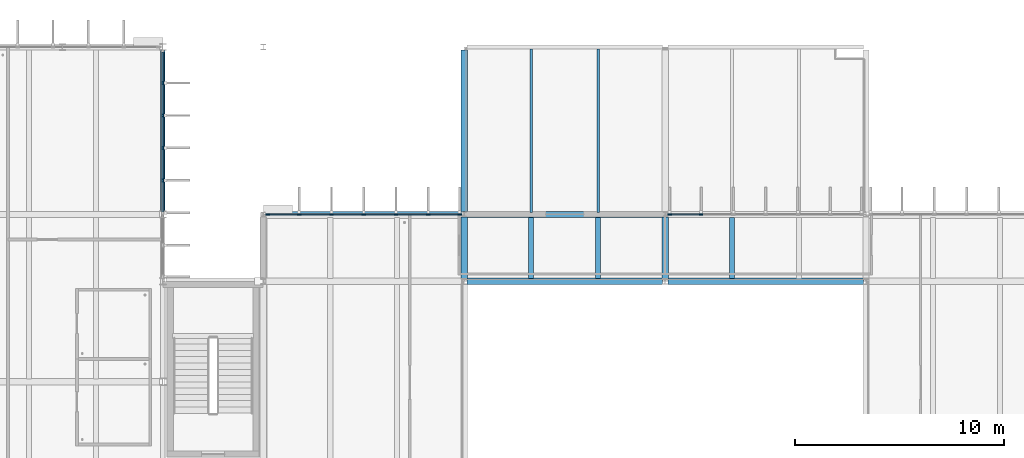
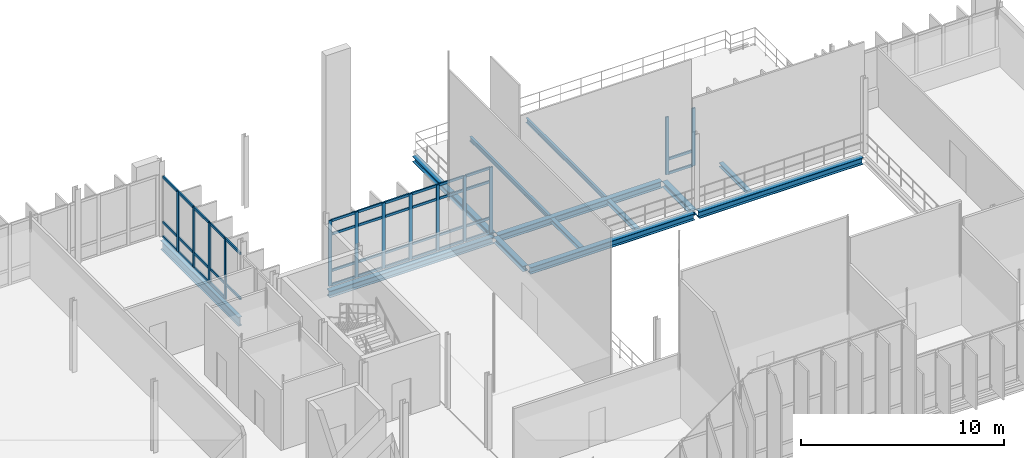
# One storey, part 12 of 41: 53 members, 13 beams, 3 elements without a shape of their own.
"""IFC4 building model written with IfcOpenShell, lengths in metres."""

from ifc_helpers import new_model, si_unit, direction, frame, origin, origin_2d, place, context, subcontext, project, spatial, rectangle, i_section, extrude, material, material_profile, profile_set, type_object, element, aggregate, save


model = new_model("IFC4")

# Units and contexts
model_context = context("Model", 3, precision=1e-05, world=origin(), true_north=direction((0.0, 1.0)))
body_context = subcontext(model_context, "Body", "Model", "MODEL_VIEW")
ifc_project = project(units=[si_unit("LENGTHUNIT", "METRE"), si_unit("AREAUNIT", "SQUARE_METRE"), si_unit("VOLUMEUNIT", "CUBIC_METRE"), si_unit("PLANEANGLEUNIT", "RADIAN"), si_unit("MASSUNIT", "GRAM", prefix="KILO")], contexts=[model_context])

# Site, building, storey
site_placement = place(None, origin())
site = spatial("IfcSite", under=ifc_project, at=site_placement, CompositionType="ELEMENT")
building_placement = place(site_placement, origin())
building = spatial("IfcBuilding", under=site, at=building_placement, Name="Dunescarp Central Library", CompositionType="ELEMENT")
storey_placement = place(building_placement, frame((0.0, 0.0, 23.10009765625)))
storey = spatial("IfcBuildingStorey", under=building, at=storey_placement, Name="L05", CompositionType="ELEMENT", Elevation=23.10009765625)

# Curtain wall, members
ifc_material_1 = material(Name="Marine-grade anodised aluminium 6063-T6", Category="aluminium")
curtain_wall_type = type_object("IfcCurtainWallType", Name="ARC-CW-STICK", PredefinedType="NOTDEFINED", material=ifc_material_1)
curtain_wall_1_placement = place(storey_placement, origin())
curtain_wall_1 = element("IfcCurtainWall", 1, at=curtain_wall_1_placement, inside=storey, type_object=curtain_wall_type, Name="L05 curtain wall CW-V1-037", PredefinedType="NOTDEFINED")
ifc_material_profile_1 = material_profile(ifc_material_1, rectangle(XDim=0.080078125, YDim=0.179931640625, at=origin_2d()), Name="AL 80x180")
ifc_profile_set_1 = profile_set([ifc_material_profile_1], Name="Marine-grade anodised aluminium 6063-T6")
member_type_1 = type_object("IfcMemberType", Name="ARC-CWM-180", PredefinedType="MULLION", material=ifc_profile_set_1)
member_1_placement = place(storey_placement, frame((33.60009765625, 35.074951171875, 0.0), z_axis=(0.0, 0.0, 1.0), x_axis=(1.0, 0.0, 0.0)))
member_1 = element("IfcMember", 2, at=member_1_placement, type_object=member_type_1, Name="CW-V1-037 mullion 2", PredefinedType="MULLION", context=body_context, shape_type="SweptSolid", body=[
    extrude(rectangle(XDim=0.080078125, YDim=0.179931640625, at=origin_2d()), origin(), (0.0, 0.0, 1.0), 3.65283203125),
])
member_2_placement = place(storey_placement, frame((33.60009765625, 33.52490234375, 0.0), z_axis=(0.0, 0.0, 1.0), x_axis=(1.0, 0.0, 0.0)))
member_2 = element("IfcMember", 3, at=member_2_placement, type_object=member_type_1, Name="CW-V1-037 mullion 3", PredefinedType="MULLION", context=body_context, shape_type="SweptSolid", body=[
    extrude(rectangle(XDim=0.080078125, YDim=0.179931640625, at=origin_2d()), origin(), (0.0, 0.0, 1.0), 3.65283203125),
])
member_3_placement = place(storey_placement, frame((33.60009765625, 31.97509765625, 0.0), z_axis=(0.0, 0.0, 1.0), x_axis=(1.0, 0.0, 0.0)))
member_3 = element("IfcMember", 4, at=member_3_placement, type_object=member_type_1, Name="CW-V1-037 mullion 4", PredefinedType="MULLION", context=body_context, shape_type="SweptSolid", body=[
    extrude(rectangle(XDim=0.080078125, YDim=0.179931640625, at=origin_2d()), origin(), (0.0, 0.0, 1.0), 3.65283203125),
])
member_4_placement = place(storey_placement, frame((33.60009765625, 30.425048828125, 0.0), z_axis=(0.0, 0.0, 1.0), x_axis=(1.0, 0.0, 0.0)))
member_4 = element("IfcMember", 5, at=member_4_placement, type_object=member_type_1, Name="CW-V1-037 mullion 5", PredefinedType="MULLION", context=body_context, shape_type="SweptSolid", body=[
    extrude(rectangle(XDim=0.080078125, YDim=0.179931640625, at=origin_2d()), origin(), (0.0, 0.0, 1.0), 3.65283203125),
])

curtain_wall_2_placement = place(storey_placement, origin())
curtain_wall_2 = element("IfcCurtainWall", 6, at=curtain_wall_2_placement, inside=storey, type_object=curtain_wall_type, Name="L05 curtain wall CW-V2-077", PredefinedType="NOTDEFINED")
member_5_placement = place(storey_placement, frame((38.614990234375, 28.800048828125, 0.0), z_axis=(0.0, 0.0, 1.0), x_axis=(0.0, 1.0, 0.0)))
member_5 = element("IfcMember", 7, at=member_5_placement, type_object=member_type_1, Name="CW-V2-077 mullion 1", PredefinedType="MULLION", context=body_context, shape_type="SweptSolid", body=[
    extrude(rectangle(XDim=0.080078125, YDim=0.179931640625, at=origin_2d()), origin(), (0.0, 0.0, 1.0), 3.954833984375),
])
member_6_placement = place(storey_placement, frame((40.11669921875, 28.800048828125, 0.0), z_axis=(0.0, 0.0, 1.0), x_axis=(0.0, 1.0, 0.0)))
member_6 = element("IfcMember", 8, at=member_6_placement, type_object=member_type_1, Name="CW-V2-077 mullion 2", PredefinedType="MULLION", context=body_context, shape_type="SweptSolid", body=[
    extrude(rectangle(XDim=0.080078125, YDim=0.179931640625, at=origin_2d()), origin(), (0.0, 0.0, 1.0), 3.954833984375),
])
member_7_placement = place(storey_placement, frame((41.658447265625, 28.800048828125, 0.0), z_axis=(0.0, 0.0, 1.0), x_axis=(0.0, 1.0, 0.0)))
member_7 = element("IfcMember", 9, at=member_7_placement, type_object=member_type_1, Name="CW-V2-077 mullion 3", PredefinedType="MULLION", context=body_context, shape_type="SweptSolid", body=[
    extrude(rectangle(XDim=0.080078125, YDim=0.179931640625, at=origin_2d()), origin(), (0.0, 0.0, 1.0), 3.954833984375),
])
member_8_placement = place(storey_placement, frame((43.199951171875, 28.800048828125, 0.0), z_axis=(0.0, 0.0, 1.0), x_axis=(0.0, 1.0, 0.0)))
member_8 = element("IfcMember", 10, at=member_8_placement, type_object=member_type_1, Name="CW-V2-077 mullion 4", PredefinedType="MULLION", context=body_context, shape_type="SweptSolid", body=[
    extrude(rectangle(XDim=0.080078125, YDim=0.179931640625, at=origin_2d()), origin(), (0.0, 0.0, 1.0), 3.954833984375),
])
member_9_placement = place(storey_placement, frame((44.74169921875, 28.800048828125, 0.0), z_axis=(0.0, 0.0, 1.0), x_axis=(0.0, 1.0, 0.0)))
member_9 = element("IfcMember", 11, at=member_9_placement, type_object=member_type_1, Name="CW-V2-077 mullion 5", PredefinedType="MULLION", context=body_context, shape_type="SweptSolid", body=[
    extrude(rectangle(XDim=0.080078125, YDim=0.179931640625, at=origin_2d()), origin(), (0.0, 0.0, 1.0), 3.954833984375),
])
member_10_placement = place(storey_placement, frame((46.283447265625, 28.800048828125, 0.0), z_axis=(0.0, 0.0, 1.0), x_axis=(0.0, 1.0, 0.0)))
member_10 = element("IfcMember", 12, at=member_10_placement, type_object=member_type_1, Name="CW-V2-077 mullion 6", PredefinedType="MULLION", context=body_context, shape_type="SweptSolid", body=[
    extrude(rectangle(XDim=0.080078125, YDim=0.179931640625, at=origin_2d()), origin(), (0.0, 0.0, 1.0), 3.954833984375),
])
member_11_placement = place(storey_placement, frame((47.784912109375, 28.800048828125, 0.0), z_axis=(0.0, 0.0, 1.0), x_axis=(0.0, 1.0, 0.0)))
member_11 = element("IfcMember", 13, at=member_11_placement, type_object=member_type_1, Name="CW-V2-077 mullion 7", PredefinedType="MULLION", context=body_context, shape_type="SweptSolid", body=[
    extrude(rectangle(XDim=0.080078125, YDim=0.179931640625, at=origin_2d()), origin(), (0.0, 0.0, 1.0), 3.954833984375),
])

curtain_wall_3_placement = place(storey_placement, origin())
curtain_wall_3 = element("IfcCurtainWall", 14, at=curtain_wall_3_placement, inside=storey, type_object=curtain_wall_type, Name="L05 curtain wall CW-V2-078", PredefinedType="NOTDEFINED")
member_12_placement = place(storey_placement, frame((57.81494140625, 28.800048828125, 0.0), z_axis=(0.0, 0.0, 1.0), x_axis=(0.0, 1.0, 0.0)))
member_12 = element("IfcMember", 15, at=member_12_placement, type_object=member_type_1, Name="CW-V2-078 mullion 1", PredefinedType="MULLION", context=body_context, shape_type="SweptSolid", body=[
    extrude(rectangle(XDim=0.080078125, YDim=0.179931640625, at=origin_2d()), origin(), (0.0, 0.0, 1.0), 3.4658203125),
])
member_13_placement = place(storey_placement, frame((59.316650390625, 28.800048828125, 0.0), z_axis=(0.0, 0.0, 1.0), x_axis=(0.0, 1.0, 0.0)))
member_13 = element("IfcMember", 16, at=member_13_placement, type_object=member_type_1, Name="CW-V2-078 mullion 2", PredefinedType="MULLION", context=body_context, shape_type="SweptSolid", body=[
    extrude(rectangle(XDim=0.080078125, YDim=0.179931640625, at=origin_2d()), origin(), (0.0, 0.0, 1.0), 3.4658203125),
])

# Member
ifc_material_profile_2 = material_profile(ifc_material_1, rectangle(XDim=0.080078125, YDim=0.14990234375, at=origin_2d()), Name="AL 80x150")
ifc_profile_set_2 = profile_set([ifc_material_profile_2], Name="Marine-grade anodised aluminium 6063-T6")
member_type_2 = type_object("IfcMemberType", Name="ARC-CWT-150", PredefinedType="USERDEFINED", material=ifc_profile_set_2)
member_14_placement = place(storey_placement, frame((33.60009765625, 36.544921875, 0.039794921875), z_axis=(0.0, -1.0, 0.0), x_axis=(1.0, 0.0, 0.0)))
member_14 = element("IfcMember", 17, at=member_14_placement, type_object=member_type_2, Name="CW-V1-037 transom 1.1", ObjectType="TRANSOM", PredefinedType="USERDEFINED", context=body_context, shape_type="SweptSolid", body=[
    extrude(rectangle(XDim=0.080078125, YDim=0.14990234375, at=origin_2d()), origin(), (0.0, 0.0, 1.0), 1.429931640625),
])

member_15_placement = place(storey_placement, frame((33.60009765625, 36.544921875, 0.89990234375), z_axis=(0.0, -1.0, 0.0), x_axis=(1.0, 0.0, 0.0)))
member_15 = element("IfcMember", 18, at=member_15_placement, type_object=member_type_2, Name="CW-V1-037 transom 1.2", ObjectType="TRANSOM", PredefinedType="USERDEFINED", context=body_context, shape_type="SweptSolid", body=[
    extrude(rectangle(XDim=0.080078125, YDim=0.14990234375, at=origin_2d()), origin(), (0.0, 0.0, 1.0), 1.429931640625),
])

member_16_placement = place(storey_placement, frame((33.60009765625, 36.544921875, 3.61279296875), z_axis=(0.0, -1.0, 0.0), x_axis=(1.0, 0.0, 0.0)))
member_16 = element("IfcMember", 19, at=member_16_placement, type_object=member_type_2, Name="CW-V1-037 transom 1.3", ObjectType="TRANSOM", PredefinedType="USERDEFINED", context=body_context, shape_type="SweptSolid", body=[
    extrude(rectangle(XDim=0.080078125, YDim=0.14990234375, at=origin_2d()), origin(), (0.0, 0.0, 1.0), 1.429931640625),
])

member_17_placement = place(storey_placement, frame((33.60009765625, 35.034912109375, 0.039794921875), z_axis=(0.0, -1.0, 0.0), x_axis=(1.0, 0.0, 0.0)))
member_17 = element("IfcMember", 20, at=member_17_placement, type_object=member_type_2, Name="CW-V1-037 transom 2.1", ObjectType="TRANSOM", PredefinedType="USERDEFINED", context=body_context, shape_type="SweptSolid", body=[
    extrude(rectangle(XDim=0.080078125, YDim=0.14990234375, at=origin_2d()), origin(), (0.0, 0.0, 1.0), 1.469970703125),
])

member_18_placement = place(storey_placement, frame((33.60009765625, 35.034912109375, 0.89990234375), z_axis=(0.0, -1.0, 0.0), x_axis=(1.0, 0.0, 0.0)))
member_18 = element("IfcMember", 21, at=member_18_placement, type_object=member_type_2, Name="CW-V1-037 transom 2.2", ObjectType="TRANSOM", PredefinedType="USERDEFINED", context=body_context, shape_type="SweptSolid", body=[
    extrude(rectangle(XDim=0.080078125, YDim=0.14990234375, at=origin_2d()), origin(), (0.0, 0.0, 1.0), 1.469970703125),
])

member_19_placement = place(storey_placement, frame((33.60009765625, 35.034912109375, 3.61279296875), z_axis=(0.0, -1.0, 0.0), x_axis=(1.0, 0.0, 0.0)))
member_19 = element("IfcMember", 22, at=member_19_placement, type_object=member_type_2, Name="CW-V1-037 transom 2.3", ObjectType="TRANSOM", PredefinedType="USERDEFINED", context=body_context, shape_type="SweptSolid", body=[
    extrude(rectangle(XDim=0.080078125, YDim=0.14990234375, at=origin_2d()), origin(), (0.0, 0.0, 1.0), 1.469970703125),
])

member_20_placement = place(storey_placement, frame((33.60009765625, 33.485107421875, 0.039794921875), z_axis=(0.0, -1.0, 0.0), x_axis=(1.0, 0.0, 0.0)))
member_20 = element("IfcMember", 23, at=member_20_placement, type_object=member_type_2, Name="CW-V1-037 transom 3.1", ObjectType="TRANSOM", PredefinedType="USERDEFINED", context=body_context, shape_type="SweptSolid", body=[
    extrude(rectangle(XDim=0.080078125, YDim=0.14990234375, at=origin_2d()), origin(), (0.0, 0.0, 1.0), 1.47021484375),
])

member_21_placement = place(storey_placement, frame((33.60009765625, 33.485107421875, 0.89990234375), z_axis=(0.0, -1.0, 0.0), x_axis=(1.0, 0.0, 0.0)))
member_21 = element("IfcMember", 24, at=member_21_placement, type_object=member_type_2, Name="CW-V1-037 transom 3.2", ObjectType="TRANSOM", PredefinedType="USERDEFINED", context=body_context, shape_type="SweptSolid", body=[
    extrude(rectangle(XDim=0.080078125, YDim=0.14990234375, at=origin_2d()), origin(), (0.0, 0.0, 1.0), 1.47021484375),
])

member_22_placement = place(storey_placement, frame((33.60009765625, 33.485107421875, 3.61279296875), z_axis=(0.0, -1.0, 0.0), x_axis=(1.0, 0.0, 0.0)))
member_22 = element("IfcMember", 25, at=member_22_placement, type_object=member_type_2, Name="CW-V1-037 transom 3.3", ObjectType="TRANSOM", PredefinedType="USERDEFINED", context=body_context, shape_type="SweptSolid", body=[
    extrude(rectangle(XDim=0.080078125, YDim=0.14990234375, at=origin_2d()), origin(), (0.0, 0.0, 1.0), 1.47021484375),
])

member_23_placement = place(storey_placement, frame((33.60009765625, 31.93505859375, 0.039794921875), z_axis=(0.0, -1.0, 0.0), x_axis=(1.0, 0.0, 0.0)))
member_23 = element("IfcMember", 26, at=member_23_placement, type_object=member_type_2, Name="CW-V1-037 transom 4.1", ObjectType="TRANSOM", PredefinedType="USERDEFINED", context=body_context, shape_type="SweptSolid", body=[
    extrude(rectangle(XDim=0.080078125, YDim=0.14990234375, at=origin_2d()), origin(), (0.0, 0.0, 1.0), 1.469970703125),
])

member_24_placement = place(storey_placement, frame((33.60009765625, 31.93505859375, 0.89990234375), z_axis=(0.0, -1.0, 0.0), x_axis=(1.0, 0.0, 0.0)))
member_24 = element("IfcMember", 27, at=member_24_placement, type_object=member_type_2, Name="CW-V1-037 transom 4.2", ObjectType="TRANSOM", PredefinedType="USERDEFINED", context=body_context, shape_type="SweptSolid", body=[
    extrude(rectangle(XDim=0.080078125, YDim=0.14990234375, at=origin_2d()), origin(), (0.0, 0.0, 1.0), 1.469970703125),
])

member_25_placement = place(storey_placement, frame((33.60009765625, 31.93505859375, 3.61279296875), z_axis=(0.0, -1.0, 0.0), x_axis=(1.0, 0.0, 0.0)))
member_25 = element("IfcMember", 28, at=member_25_placement, type_object=member_type_2, Name="CW-V1-037 transom 4.3", ObjectType="TRANSOM", PredefinedType="USERDEFINED", context=body_context, shape_type="SweptSolid", body=[
    extrude(rectangle(XDim=0.080078125, YDim=0.14990234375, at=origin_2d()), origin(), (0.0, 0.0, 1.0), 1.469970703125),
])

member_26_placement = place(storey_placement, frame((33.60009765625, 30.385009765625, 0.89990234375), z_axis=(0.0, -1.0, 0.0), x_axis=(1.0, 0.0, 0.0)))
member_26 = element("IfcMember", 29, at=member_26_placement, type_object=member_type_2, Name="CW-V1-037 transom 5.2", ObjectType="TRANSOM", PredefinedType="USERDEFINED", context=body_context, shape_type="SweptSolid", body=[
    extrude(rectangle(XDim=0.080078125, YDim=0.14990234375, at=origin_2d()), origin(), (0.0, 0.0, 1.0), 1.469970703125),
])

member_27_placement = place(storey_placement, frame((33.60009765625, 30.385009765625, 3.61279296875), z_axis=(0.0, -1.0, 0.0), x_axis=(1.0, 0.0, 0.0)))
member_27 = element("IfcMember", 30, at=member_27_placement, type_object=member_type_2, Name="CW-V1-037 transom 5.3", ObjectType="TRANSOM", PredefinedType="USERDEFINED", context=body_context, shape_type="SweptSolid", body=[
    extrude(rectangle(XDim=0.080078125, YDim=0.14990234375, at=origin_2d()), origin(), (0.0, 0.0, 1.0), 1.469970703125),
])

aggregate(curtain_wall_1, [member_1, member_2, member_3, member_4, member_14, member_15, member_16, member_17, member_18, member_19, member_20, member_21, member_22, member_23, member_24, member_25, member_26, member_27])

member_28_placement = place(storey_placement, frame((38.655029296875, 28.800048828125, 0.039794921875), z_axis=(1.0, 0.0, 0.0), x_axis=(0.0, 1.0, 0.0)))
member_28 = element("IfcMember", 31, at=member_28_placement, type_object=member_type_2, Name="CW-V2-077 transom 1.1", ObjectType="TRANSOM", PredefinedType="USERDEFINED", context=body_context, shape_type="SweptSolid", body=[
    extrude(rectangle(XDim=0.080078125, YDim=0.14990234375, at=origin_2d()), origin(), (0.0, 0.0, 1.0), 1.421630859375),
])

member_29_placement = place(storey_placement, frame((38.655029296875, 28.800048828125, 0.89990234375), z_axis=(1.0, 0.0, 0.0), x_axis=(0.0, 1.0, 0.0)))
member_29 = element("IfcMember", 32, at=member_29_placement, type_object=member_type_2, Name="CW-V2-077 transom 1.2", ObjectType="TRANSOM", PredefinedType="USERDEFINED", context=body_context, shape_type="SweptSolid", body=[
    extrude(rectangle(XDim=0.080078125, YDim=0.14990234375, at=origin_2d()), origin(), (0.0, 0.0, 1.0), 1.421630859375),
])

member_30_placement = place(storey_placement, frame((38.655029296875, 28.800048828125, 3.099853515625), z_axis=(1.0, 0.0, 0.0), x_axis=(0.0, 1.0, 0.0)))
member_30 = element("IfcMember", 33, at=member_30_placement, type_object=member_type_2, Name="CW-V2-077 transom 1.3", ObjectType="TRANSOM", PredefinedType="USERDEFINED", context=body_context, shape_type="SweptSolid", body=[
    extrude(rectangle(XDim=0.080078125, YDim=0.14990234375, at=origin_2d()), origin(), (0.0, 0.0, 1.0), 1.421630859375),
])

member_31_placement = place(storey_placement, frame((38.655029296875, 28.800048828125, 3.914794921875), z_axis=(1.0, 0.0, 0.0), x_axis=(0.0, 1.0, 0.0)))
member_31 = element("IfcMember", 34, at=member_31_placement, type_object=member_type_2, Name="CW-V2-077 transom 1.4", ObjectType="TRANSOM", PredefinedType="USERDEFINED", context=body_context, shape_type="SweptSolid", body=[
    extrude(rectangle(XDim=0.080078125, YDim=0.14990234375, at=origin_2d()), origin(), (0.0, 0.0, 1.0), 1.421630859375),
])

member_32_placement = place(storey_placement, frame((40.15673828125, 28.800048828125, 0.039794921875), z_axis=(1.0, 0.0, 0.0), x_axis=(0.0, 1.0, 0.0)))
member_32 = element("IfcMember", 35, at=member_32_placement, type_object=member_type_2, Name="CW-V2-077 transom 2.1", ObjectType="TRANSOM", PredefinedType="USERDEFINED", context=body_context, shape_type="SweptSolid", body=[
    extrude(rectangle(XDim=0.080078125, YDim=0.14990234375, at=origin_2d()), origin(), (0.0, 0.0, 1.0), 1.461669921875),
])

member_33_placement = place(storey_placement, frame((40.15673828125, 28.800048828125, 0.89990234375), z_axis=(1.0, 0.0, 0.0), x_axis=(0.0, 1.0, 0.0)))
member_33 = element("IfcMember", 36, at=member_33_placement, type_object=member_type_2, Name="CW-V2-077 transom 2.2", ObjectType="TRANSOM", PredefinedType="USERDEFINED", context=body_context, shape_type="SweptSolid", body=[
    extrude(rectangle(XDim=0.080078125, YDim=0.14990234375, at=origin_2d()), origin(), (0.0, 0.0, 1.0), 1.461669921875),
])

member_34_placement = place(storey_placement, frame((40.15673828125, 28.800048828125, 3.099853515625), z_axis=(1.0, 0.0, 0.0), x_axis=(0.0, 1.0, 0.0)))
member_34 = element("IfcMember", 37, at=member_34_placement, type_object=member_type_2, Name="CW-V2-077 transom 2.3", ObjectType="TRANSOM", PredefinedType="USERDEFINED", context=body_context, shape_type="SweptSolid", body=[
    extrude(rectangle(XDim=0.080078125, YDim=0.14990234375, at=origin_2d()), origin(), (0.0, 0.0, 1.0), 1.461669921875),
])

member_35_placement = place(storey_placement, frame((40.15673828125, 28.800048828125, 3.914794921875), z_axis=(1.0, 0.0, 0.0), x_axis=(0.0, 1.0, 0.0)))
member_35 = element("IfcMember", 38, at=member_35_placement, type_object=member_type_2, Name="CW-V2-077 transom 2.4", ObjectType="TRANSOM", PredefinedType="USERDEFINED", context=body_context, shape_type="SweptSolid", body=[
    extrude(rectangle(XDim=0.080078125, YDim=0.14990234375, at=origin_2d()), origin(), (0.0, 0.0, 1.0), 1.461669921875),
])

member_36_placement = place(storey_placement, frame((41.6982421875, 28.800048828125, 0.039794921875), z_axis=(1.0, 0.0, 0.0), x_axis=(0.0, 1.0, 0.0)))
member_36 = element("IfcMember", 39, at=member_36_placement, type_object=member_type_2, Name="CW-V2-077 transom 3.1", ObjectType="TRANSOM", PredefinedType="USERDEFINED", context=body_context, shape_type="SweptSolid", body=[
    extrude(rectangle(XDim=0.080078125, YDim=0.14990234375, at=origin_2d()), origin(), (0.0, 0.0, 1.0), 1.461669921875),
])

member_37_placement = place(storey_placement, frame((41.6982421875, 28.800048828125, 0.89990234375), z_axis=(1.0, 0.0, 0.0), x_axis=(0.0, 1.0, 0.0)))
member_37 = element("IfcMember", 40, at=member_37_placement, type_object=member_type_2, Name="CW-V2-077 transom 3.2", ObjectType="TRANSOM", PredefinedType="USERDEFINED", context=body_context, shape_type="SweptSolid", body=[
    extrude(rectangle(XDim=0.080078125, YDim=0.14990234375, at=origin_2d()), origin(), (0.0, 0.0, 1.0), 1.461669921875),
])

member_38_placement = place(storey_placement, frame((41.6982421875, 28.800048828125, 3.099853515625), z_axis=(1.0, 0.0, 0.0), x_axis=(0.0, 1.0, 0.0)))
member_38 = element("IfcMember", 41, at=member_38_placement, type_object=member_type_2, Name="CW-V2-077 transom 3.3", ObjectType="TRANSOM", PredefinedType="USERDEFINED", context=body_context, shape_type="SweptSolid", body=[
    extrude(rectangle(XDim=0.080078125, YDim=0.14990234375, at=origin_2d()), origin(), (0.0, 0.0, 1.0), 1.461669921875),
])

member_39_placement = place(storey_placement, frame((41.6982421875, 28.800048828125, 3.914794921875), z_axis=(1.0, 0.0, 0.0), x_axis=(0.0, 1.0, 0.0)))
member_39 = element("IfcMember", 42, at=member_39_placement, type_object=member_type_2, Name="CW-V2-077 transom 3.4", ObjectType="TRANSOM", PredefinedType="USERDEFINED", context=body_context, shape_type="SweptSolid", body=[
    extrude(rectangle(XDim=0.080078125, YDim=0.14990234375, at=origin_2d()), origin(), (0.0, 0.0, 1.0), 1.461669921875),
])

member_40_placement = place(storey_placement, frame((43.239990234375, 28.800048828125, 0.039794921875), z_axis=(1.0, 0.0, 0.0), x_axis=(0.0, 1.0, 0.0)))
member_40 = element("IfcMember", 43, at=member_40_placement, type_object=member_type_2, Name="CW-V2-077 transom 4.1", ObjectType="TRANSOM", PredefinedType="USERDEFINED", context=body_context, shape_type="SweptSolid", body=[
    extrude(rectangle(XDim=0.080078125, YDim=0.14990234375, at=origin_2d()), origin(), (0.0, 0.0, 1.0), 1.461669921875),
])

member_41_placement = place(storey_placement, frame((43.239990234375, 28.800048828125, 0.89990234375), z_axis=(1.0, 0.0, 0.0), x_axis=(0.0, 1.0, 0.0)))
member_41 = element("IfcMember", 44, at=member_41_placement, type_object=member_type_2, Name="CW-V2-077 transom 4.2", ObjectType="TRANSOM", PredefinedType="USERDEFINED", context=body_context, shape_type="SweptSolid", body=[
    extrude(rectangle(XDim=0.080078125, YDim=0.14990234375, at=origin_2d()), origin(), (0.0, 0.0, 1.0), 1.461669921875),
])

member_42_placement = place(storey_placement, frame((43.239990234375, 28.800048828125, 3.099853515625), z_axis=(1.0, 0.0, 0.0), x_axis=(0.0, 1.0, 0.0)))
member_42 = element("IfcMember", 45, at=member_42_placement, type_object=member_type_2, Name="CW-V2-077 transom 4.3", ObjectType="TRANSOM", PredefinedType="USERDEFINED", context=body_context, shape_type="SweptSolid", body=[
    extrude(rectangle(XDim=0.080078125, YDim=0.14990234375, at=origin_2d()), origin(), (0.0, 0.0, 1.0), 1.461669921875),
])

member_43_placement = place(storey_placement, frame((43.239990234375, 28.800048828125, 3.914794921875), z_axis=(1.0, 0.0, 0.0), x_axis=(0.0, 1.0, 0.0)))
member_43 = element("IfcMember", 46, at=member_43_placement, type_object=member_type_2, Name="CW-V2-077 transom 4.4", ObjectType="TRANSOM", PredefinedType="USERDEFINED", context=body_context, shape_type="SweptSolid", body=[
    extrude(rectangle(XDim=0.080078125, YDim=0.14990234375, at=origin_2d()), origin(), (0.0, 0.0, 1.0), 1.461669921875),
])

member_44_placement = place(storey_placement, frame((44.78173828125, 28.800048828125, 0.039794921875), z_axis=(1.0, 0.0, 0.0), x_axis=(0.0, 1.0, 0.0)))
member_44 = element("IfcMember", 47, at=member_44_placement, type_object=member_type_2, Name="CW-V2-077 transom 5.1", ObjectType="TRANSOM", PredefinedType="USERDEFINED", context=body_context, shape_type="SweptSolid", body=[
    extrude(rectangle(XDim=0.080078125, YDim=0.14990234375, at=origin_2d()), origin(), (0.0, 0.0, 1.0), 1.461669921875),
])

member_45_placement = place(storey_placement, frame((44.78173828125, 28.800048828125, 0.89990234375), z_axis=(1.0, 0.0, 0.0), x_axis=(0.0, 1.0, 0.0)))
member_45 = element("IfcMember", 48, at=member_45_placement, type_object=member_type_2, Name="CW-V2-077 transom 5.2", ObjectType="TRANSOM", PredefinedType="USERDEFINED", context=body_context, shape_type="SweptSolid", body=[
    extrude(rectangle(XDim=0.080078125, YDim=0.14990234375, at=origin_2d()), origin(), (0.0, 0.0, 1.0), 1.461669921875),
])

member_46_placement = place(storey_placement, frame((44.78173828125, 28.800048828125, 3.099853515625), z_axis=(1.0, 0.0, 0.0), x_axis=(0.0, 1.0, 0.0)))
member_46 = element("IfcMember", 49, at=member_46_placement, type_object=member_type_2, Name="CW-V2-077 transom 5.3", ObjectType="TRANSOM", PredefinedType="USERDEFINED", context=body_context, shape_type="SweptSolid", body=[
    extrude(rectangle(XDim=0.080078125, YDim=0.14990234375, at=origin_2d()), origin(), (0.0, 0.0, 1.0), 1.461669921875),
])

member_47_placement = place(storey_placement, frame((44.78173828125, 28.800048828125, 3.914794921875), z_axis=(1.0, 0.0, 0.0), x_axis=(0.0, 1.0, 0.0)))
member_47 = element("IfcMember", 50, at=member_47_placement, type_object=member_type_2, Name="CW-V2-077 transom 5.4", ObjectType="TRANSOM", PredefinedType="USERDEFINED", context=body_context, shape_type="SweptSolid", body=[
    extrude(rectangle(XDim=0.080078125, YDim=0.14990234375, at=origin_2d()), origin(), (0.0, 0.0, 1.0), 1.461669921875),
])

member_48_placement = place(storey_placement, frame((46.3232421875, 28.800048828125, 0.039794921875), z_axis=(1.0, 0.0, 0.0), x_axis=(0.0, 1.0, 0.0)))
member_48 = element("IfcMember", 51, at=member_48_placement, type_object=member_type_2, Name="CW-V2-077 transom 6.1", ObjectType="TRANSOM", PredefinedType="USERDEFINED", context=body_context, shape_type="SweptSolid", body=[
    extrude(rectangle(XDim=0.080078125, YDim=0.14990234375, at=origin_2d()), origin(), (0.0, 0.0, 1.0), 1.421875),
])

member_49_placement = place(storey_placement, frame((46.3232421875, 28.800048828125, 0.89990234375), z_axis=(1.0, 0.0, 0.0), x_axis=(0.0, 1.0, 0.0)))
member_49 = element("IfcMember", 52, at=member_49_placement, type_object=member_type_2, Name="CW-V2-077 transom 6.2", ObjectType="TRANSOM", PredefinedType="USERDEFINED", context=body_context, shape_type="SweptSolid", body=[
    extrude(rectangle(XDim=0.080078125, YDim=0.14990234375, at=origin_2d()), origin(), (0.0, 0.0, 1.0), 1.421875),
])

member_50_placement = place(storey_placement, frame((46.3232421875, 28.800048828125, 3.099853515625), z_axis=(1.0, 0.0, 0.0), x_axis=(0.0, 1.0, 0.0)))
member_50 = element("IfcMember", 53, at=member_50_placement, type_object=member_type_2, Name="CW-V2-077 transom 6.3", ObjectType="TRANSOM", PredefinedType="USERDEFINED", context=body_context, shape_type="SweptSolid", body=[
    extrude(rectangle(XDim=0.080078125, YDim=0.14990234375, at=origin_2d()), origin(), (0.0, 0.0, 1.0), 1.421875),
])

member_51_placement = place(storey_placement, frame((46.3232421875, 28.800048828125, 3.914794921875), z_axis=(1.0, 0.0, 0.0), x_axis=(0.0, 1.0, 0.0)))
member_51 = element("IfcMember", 54, at=member_51_placement, type_object=member_type_2, Name="CW-V2-077 transom 6.4", ObjectType="TRANSOM", PredefinedType="USERDEFINED", context=body_context, shape_type="SweptSolid", body=[
    extrude(rectangle(XDim=0.080078125, YDim=0.14990234375, at=origin_2d()), origin(), (0.0, 0.0, 1.0), 1.421875),
])

aggregate(curtain_wall_2, [member_5, member_6, member_7, member_8, member_9, member_10, member_11, member_28, member_29, member_30, member_31, member_32, member_33, member_34, member_35, member_36, member_37, member_38, member_39, member_40, member_41, member_42, member_43, member_44, member_45, member_46, member_47, member_48, member_49, member_50, member_51])

member_52_placement = place(storey_placement, frame((57.85498046875, 28.800048828125, 0.039794921875), z_axis=(1.0, 0.0, 0.0), x_axis=(0.0, 1.0, 0.0)))
member_52 = element("IfcMember", 55, at=member_52_placement, type_object=member_type_2, Name="CW-V2-078 transom 1.1", ObjectType="TRANSOM", PredefinedType="USERDEFINED", context=body_context, shape_type="SweptSolid", body=[
    extrude(rectangle(XDim=0.080078125, YDim=0.14990234375, at=origin_2d()), origin(), (0.0, 0.0, 1.0), 1.421630859375),
])

member_53_placement = place(storey_placement, frame((57.85498046875, 28.800048828125, 0.89990234375), z_axis=(1.0, 0.0, 0.0), x_axis=(0.0, 1.0, 0.0)))
member_53 = element("IfcMember", 56, at=member_53_placement, type_object=member_type_2, Name="CW-V2-078 transom 1.2", ObjectType="TRANSOM", PredefinedType="USERDEFINED", context=body_context, shape_type="SweptSolid", body=[
    extrude(rectangle(XDim=0.080078125, YDim=0.14990234375, at=origin_2d()), origin(), (0.0, 0.0, 1.0), 1.421630859375),
])

aggregate(curtain_wall_3, [member_12, member_13, member_52, member_53])

# Beams
ifc_material_2 = material(Name="Steel S355JR", Category="steel")
ifc_material_profile_3 = material_profile(ifc_material_2, i_section(OverallWidth=0.300048828125, OverallDepth=0.330078125, WebThickness=0.009521484375, FlangeThickness=0.0166015625, at=origin_2d()), Name="HEA 340")
ifc_profile_set_3 = profile_set([ifc_material_profile_3], Name="Steel S355JR")
beam_type_1 = type_object("IfcBeamType", Name="STR-BM-HEA340", PredefinedType="BEAM", material=ifc_profile_set_3)
for number, where, z_axis, x_axis, name in (
    (57, (48.0, 25.735107421875, -0.385009765625), (0.0, 1.0, 0.0), (-1.0, 0.0, 0.0), "L05 girder BM-L05-0618"),
    (58, (57.60009765625, 25.735107421875, -0.385009765625), (0.0, 1.0, 0.0), (-1.0, 0.0, 0.0), "L05 girder BM-L05-0628"),
):
    element("IfcBeam", number, at=place(storey_placement, frame(where, z_axis=z_axis, x_axis=x_axis)), inside=storey, type_object=beam_type_1, Name=name, PredefinedType="BEAM", context=body_context, shape_type="SweptSolid", body=[
        extrude(i_section(OverallWidth=0.300048828125, OverallDepth=0.330078125, WebThickness=0.009521484375, FlangeThickness=0.0166015625, at=origin_2d()), origin(), (0.0, 0.0, 1.0), 2.93798828125),
    ])
beam_1_placement = place(storey_placement, frame((48.0, 28.927001953125, -0.35498046875), z_axis=(0.0, 1.0, 0.0), x_axis=(-1.0, 0.0, 0.0)))
element("IfcBeam", 59, at=beam_1_placement, inside=storey, type_object=beam_type_1, Name="L05 girder BM-L05-1520", PredefinedType="BEAM", context=body_context, shape_type="SweptSolid", body=[
    extrude(i_section(OverallWidth=0.300048828125, OverallDepth=0.330078125, WebThickness=0.009521484375, FlangeThickness=0.0166015625, at=origin_2d()), origin(), (0.0, 0.0, 1.0), 7.738037109375),
])
ifc_material_profile_4 = material_profile(ifc_material_2, i_section(OverallWidth=0.300048828125, OverallDepth=0.39990234375, WebThickness=0.013427734375, FlangeThickness=0.02392578125, at=origin_2d()), Name="HEB 400")
ifc_profile_set_4 = profile_set([ifc_material_profile_4], Name="Steel S355JR")
beam_type_2 = type_object("IfcBeamType", Name="STR-BM-HEB400", PredefinedType="BEAM", material=ifc_profile_set_4)
beam_2_placement = place(storey_placement, frame((38.52490234375, 28.800048828125, -0.420166015625), z_axis=(1.0, 0.0, 0.0), x_axis=(0.0, 1.0, 0.0)))
element("IfcBeam", 60, at=beam_2_placement, inside=storey, type_object=beam_type_2, Name="L05 girder BM-L05-0616", PredefinedType="BEAM", context=body_context, shape_type="SweptSolid", body=[
    extrude(i_section(OverallWidth=0.300048828125, OverallDepth=0.39990234375, WebThickness=0.013427734375, FlangeThickness=0.02392578125, at=origin_2d()), origin(), (0.0, 0.0, 1.0), 9.35009765625),
])
beam_3_placement = place(storey_placement, frame((48.1279296875, 25.60009765625, -0.420166015625), z_axis=(1.0, 0.0, 0.0), x_axis=(0.0, 1.0, 0.0)))
element("IfcBeam", 61, at=beam_3_placement, inside=storey, type_object=beam_type_2, Name="L05 girder BM-L05-0626", PredefinedType="BEAM", context=body_context, shape_type="SweptSolid", body=[
    extrude(i_section(OverallWidth=0.300048828125, OverallDepth=0.39990234375, WebThickness=0.013427734375, FlangeThickness=0.02392578125, at=origin_2d()), origin(), (0.0, 0.0, 1.0), 9.343994140625),
])
beam_4_placement = place(storey_placement, frame((48.125, 28.800048828125, -0.420166015625), z_axis=(1.0, 0.0, 0.0), x_axis=(0.0, 1.0, 0.0)))
element("IfcBeam", 62, at=beam_4_placement, inside=storey, type_object=beam_type_2, Name="L05 girder BM-L05-0627", PredefinedType="BEAM", context=body_context, shape_type="SweptSolid", body=[
    extrude(i_section(OverallWidth=0.300048828125, OverallDepth=0.39990234375, WebThickness=0.013427734375, FlangeThickness=0.02392578125, at=origin_2d()), origin(), (0.0, 0.0, 1.0), 9.35009765625),
])
beam_5_placement = place(storey_placement, frame((57.72802734375, 25.60009765625, -0.420166015625), z_axis=(1.0, 0.0, 0.0), x_axis=(0.0, 1.0, 0.0)))
element("IfcBeam", 63, at=beam_5_placement, inside=storey, type_object=beam_type_2, Name="L05 girder BM-L05-0636", PredefinedType="BEAM", context=body_context, shape_type="SweptSolid", body=[
    extrude(i_section(OverallWidth=0.300048828125, OverallDepth=0.39990234375, WebThickness=0.013427734375, FlangeThickness=0.02392578125, at=origin_2d()), origin(), (0.0, 0.0, 1.0), 9.343994140625),
])
ifc_material_profile_5 = material_profile(ifc_material_2, i_section(OverallWidth=0.2119140625, OverallDepth=0.54443359375, WebThickness=0.0126953125, FlangeThickness=0.021240234375, at=origin_2d()), Name="UB 533x210x122")
ifc_profile_set_5 = profile_set([ifc_material_profile_5], Name="Steel S355JR")
beam_type_3 = type_object("IfcBeamType", Name="STR-BM-UB533X122", PredefinedType="BEAM", material=ifc_profile_set_5)
beam_6_placement = place(storey_placement, frame((33.60009765625, 28.9609375, -0.4921875), z_axis=(0.0, 1.0, 0.0), x_axis=(-1.0, 0.0, 0.0)))
element("IfcBeam", 64, at=beam_6_placement, inside=storey, type_object=beam_type_3, Name="L05 girder BM-L05-0273", PredefinedType="BEAM", context=body_context, shape_type="SweptSolid", body=[
    extrude(i_section(OverallWidth=0.2119140625, OverallDepth=0.54443359375, WebThickness=0.0126953125, FlangeThickness=0.021240234375, at=origin_2d()), origin(), (0.0, 0.0, 1.0), 7.677978515625),
])
ifc_material_profile_6 = material_profile(ifc_material_2, i_section(OverallWidth=0.239990234375, OverallDepth=0.22998046875, WebThickness=0.007568359375, FlangeThickness=0.011962890625, at=origin_2d()), Name="HEA 240")
ifc_profile_set_6 = profile_set([ifc_material_profile_6], Name="Steel S355JR")
beam_type_4 = type_object("IfcBeamType", Name="STR-JS-HEA240", PredefinedType="JOIST", material=ifc_profile_set_6)
for number, where, z_axis, x_axis, name in (
    (65, (51.199951171875, 25.748046875, -0.335205078125), (0.0, 1.0, 0.0), (-1.0, 0.0, 0.0), "L05 joist JS-L05-0629"),
    (66, (54.39990234375, 25.748046875, -0.335205078125), (0.0, 1.0, 0.0), (-1.0, 0.0, 0.0), "L05 joist JS-L05-0630"),
    (67, (60.800048828125, 25.748046875, -0.335205078125), (0.0, 1.0, 0.0), (-1.0, 0.0, 0.0), "L05 joist JS-L05-0640"),
):
    element("IfcBeam", number, at=place(storey_placement, frame(where, z_axis=z_axis, x_axis=x_axis)), inside=storey, type_object=beam_type_4, Name=name, PredefinedType="JOIST", context=body_context, shape_type="SweptSolid", body=[
        extrude(i_section(OverallWidth=0.239990234375, OverallDepth=0.22998046875, WebThickness=0.007568359375, FlangeThickness=0.011962890625, at=origin_2d()), origin(), (0.0, 0.0, 1.0), 2.904052734375),
    ])
ifc_material_profile_7 = material_profile(ifc_material_2, i_section(OverallWidth=0.135009765625, OverallDepth=0.27001953125, WebThickness=0.006591796875, FlangeThickness=0.01025390625, at=origin_2d()), Name="IPE 270")
ifc_profile_set_7 = profile_set([ifc_material_profile_7], Name="Steel S355JR")
beam_type_5 = type_object("IfcBeamType", Name="STR-JS-IPE270", PredefinedType="JOIST", material=ifc_profile_set_7)
for number, where, z_axis, x_axis, name in (
    (68, (51.199951171875, 28.886962890625, -0.3251953125), (0.0, 1.0, 0.0), (-1.0, 0.0, 0.0), "L05 joist JS-L05-1522"),
    (69, (54.39990234375, 28.886962890625, -0.3251953125), (0.0, 1.0, 0.0), (-1.0, 0.0, 0.0), "L05 joist JS-L05-1523"),
):
    element("IfcBeam", number, at=place(storey_placement, frame(where, z_axis=z_axis, x_axis=x_axis)), inside=storey, type_object=beam_type_5, Name=name, PredefinedType="JOIST", context=body_context, shape_type="SweptSolid", body=[
        extrude(i_section(OverallWidth=0.135009765625, OverallDepth=0.27001953125, WebThickness=0.006591796875, FlangeThickness=0.01025390625, at=origin_2d()), origin(), (0.0, 0.0, 1.0), 7.825927734375),
    ])

save(model, "model.ifc")
